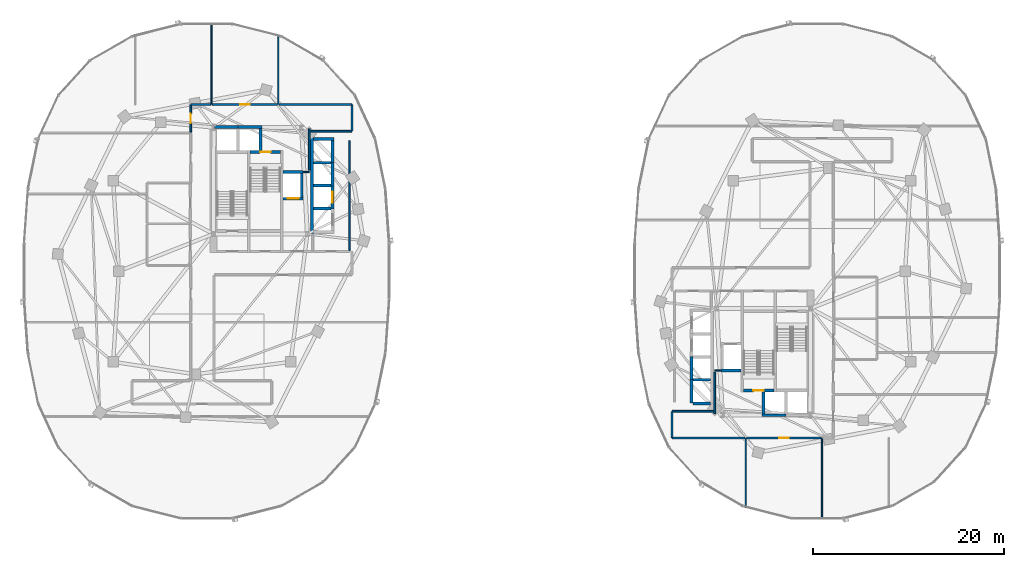
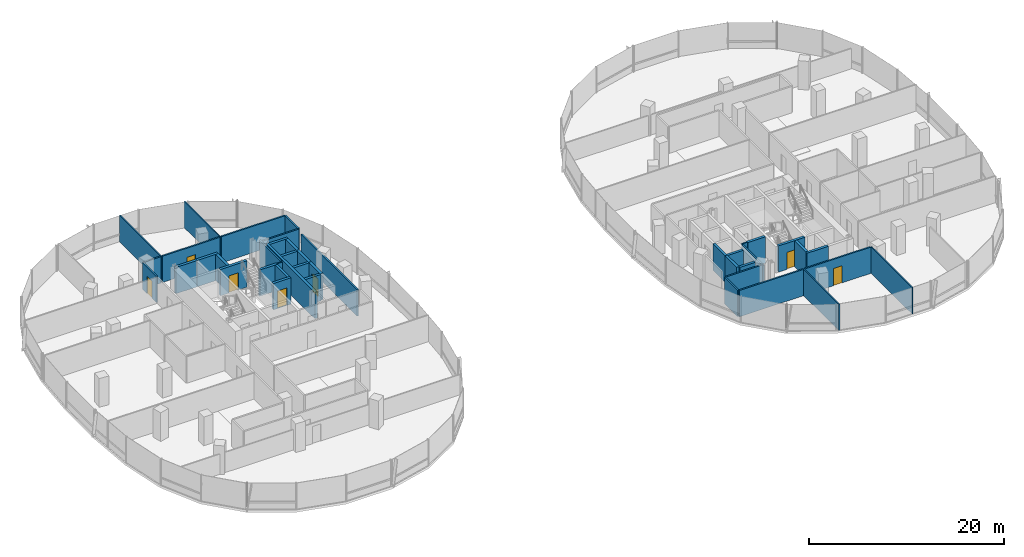
# One storey, part 12 of 21: 42 walls, 7 doors, 7 openings.
"""IFC4 building model written with IfcOpenShell, lengths in metres."""

from ifc_helpers import new_model, si_unit, direction, frame, frame_2d, origin, place, context, subcontext, project, spatial, rectangle, extrude, material, layer, layer_set, type_object, element, fill, save


model = new_model("IFC4")

# Units and contexts
model_context = context("Model", 3, precision=1e-05, world=origin(), true_north=direction((0.0, 1.0)))
body_context = subcontext(model_context, "Body", "Model", "MODEL_VIEW")
ifc_project = project(units=[si_unit("LENGTHUNIT", "METRE"), si_unit("AREAUNIT", "SQUARE_METRE"), si_unit("VOLUMEUNIT", "CUBIC_METRE"), si_unit("PLANEANGLEUNIT", "RADIAN"), si_unit("MASSUNIT", "GRAM", prefix="KILO"), si_unit("THERMODYNAMICTEMPERATUREUNIT", "KELVIN"), si_unit("POWERUNIT", "WATT")], contexts=[model_context])

# Site, building, storey
site_placement = place(None, origin())
site = spatial("IfcSite", under=ifc_project, at=site_placement, CompositionType="ELEMENT")
building_placement = place(site_placement, origin())
building = spatial("IfcBuilding", under=site, at=building_placement, Name="Cundina Bronze Exchange", CompositionType="ELEMENT")
storey_placement = place(building_placement, frame((0.0, 0.0, 114.199951171875)))
storey = spatial("IfcBuildingStorey", under=building, at=storey_placement, Name="L29", CompositionType="ELEMENT", Elevation=114.199951171875)

# Walls
ifc_material_1 = material(Name="Gypsum Fireboard Partition EI120")
ifc_layer_1 = layer(ifc_material_1, 0.179931640625, Name="Gypsum Fireboard Partition EI120")
ifc_layer_set_1 = layer_set([ifc_layer_1], Name="Gypsum Fireboard Partition EI120")
wall_type_1 = type_object("IfcWallType", Name="WL-COR-180", PredefinedType="PARTITIONING", material=ifc_layer_set_1)
wall_1_placement = place(storey_placement, frame((-17.02001953125, 2.169921875, 0.0), z_axis=(0.0, 0.0, 1.0), x_axis=(0.0, 1.0, 0.0)))
element("IfcWall", 1, at=wall_1_placement, inside=storey, type_object=wall_type_1, Name="L29 Interior Partition 001", PredefinedType="PARTITIONING", context=body_context, shape_type="SweptSolid", body=[
    extrude(rectangle(XDim=11.510009765625, YDim=0.179931640625, at=frame_2d((5.7548828125, 0.0))), origin(), (0.0, 0.0, 1.0), 3.300048828125),
])
wall_2_placement = place(storey_placement, frame((-21.25, 10.570068359375, 0.0), z_axis=(0.0, 0.0, 1.0), x_axis=(0.0, 1.0, 0.0)))
element("IfcWall", 2, at=wall_2_placement, inside=storey, type_object=wall_type_1, Name="L29 Interior Partition 004", PredefinedType="PARTITIONING", context=body_context, shape_type="SweptSolid", body=[
    extrude(rectangle(XDim=4.35986328125, YDim=0.179931640625, at=frame_2d((2.179931640625, 0.0))), origin(), (0.0, 0.0, 1.0), 3.300048828125),
])
wall_3_placement = place(storey_placement, frame((-16.821533203125, 17.469970703125, 0.0), z_axis=(0.0, 0.0, 1.0), x_axis=(-1.0, 0.0, 0.0)))
element("IfcWall", 3, at=wall_3_placement, inside=storey, type_object=wall_type_1, Name="L29 Interior Partition 030", PredefinedType="PARTITIONING", context=body_context, shape_type="SweptSolid", body=[
    extrude(rectangle(XDim=7.58837890625, YDim=0.179931640625, at=frame_2d((3.794189453125, 0.0))), origin(), (0.0, 0.0, 1.0), 3.300048828125),
])
wall_4_placement = place(storey_placement, frame((-21.178466796875, 14.679931640625, 0.0), z_axis=(0.0, 0.0, 1.0), x_axis=(1.0, 0.0, 0.0)))
element("IfcWall", 4, at=wall_4_placement, inside=storey, type_object=wall_type_1, Name="L29 Interior Partition 032", PredefinedType="PARTITIONING", context=body_context, shape_type="SweptSolid", body=[
    extrude(rectangle(XDim=4.35693359375, YDim=0.179931640625, at=frame_2d((2.178466796875, 0.0))), origin(), (0.0, 0.0, 1.0), 3.300048828125),
])
wall_5_placement = place(storey_placement, frame((-16.780029296875, 14.721435546875, 0.0), z_axis=(0.0, 0.0, 1.0), x_axis=(0.0, 1.0, 0.0)))
element("IfcWall", 5, at=wall_5_placement, inside=storey, type_object=wall_type_1, Name="L29 Interior Partition 033", PredefinedType="PARTITIONING", context=body_context, shape_type="SweptSolid", body=[
    extrude(rectangle(XDim=2.70703125, YDim=0.179931640625, at=frame_2d((1.353515625, 0.0))), origin(), (0.0, 0.0, 1.0), 3.300048828125),
])

# Wall, opening, door
wall_6_placement = place(storey_placement, frame((-33.669921875, 17.428466796875, 0.0), z_axis=(0.0, 0.0, 1.0), x_axis=(0.0, -1.0, 0.0)))
wall_6 = element("IfcWall", 6, at=wall_6_placement, inside=storey, type_object=wall_type_1, Name="L29 Interior Partition 036", PredefinedType="PARTITIONING", context=body_context, shape_type="SweptSolid", body=[
    extrude(rectangle(XDim=2.83837890625, YDim=0.179931640625, at=frame_2d((1.419189453125, 0.0))), origin(), (0.0, 0.0, 1.0), 3.300048828125),
])
opening_1_placement = place(wall_6_placement, frame((0.919189453125, 0.0, 0.0)))
opening_1 = element("IfcOpeningElement", 7, at=opening_1_placement, cuts=wall_6, Name="Opening DO-01", PredefinedType="OPENING", context=body_context, shape_type="SweptSolid", body=[
    extrude(rectangle(XDim=1.0, YDim=2.14990234375, at=frame_2d((0.5, 1.074951171875))), frame((0.0, 0.099853515625, 0.0), z_axis=(0.0, -1.0, 0.0), x_axis=(1.0, 0.0, 0.0)), (0.0, 0.0, 1.0), 0.199951171875),
])
ifc_material_2 = material(Name="Solid Andean Oak Timber Grade A", Category="wood")
door_type_1 = type_object("IfcDoorType", Name="DR-OFF-1000", OperationType="NOTDEFINED", PredefinedType="DOOR", material=ifc_material_2)
door_1_placement = place(opening_1_placement, origin())
door_1 = element("IfcDoor", 8, at=door_1_placement, inside=storey, type_object=door_type_1, Name="L29 Interior Door 036", OperationType="SINGLE_SWING_RIGHT", OverallHeight=2.14990234375, OverallWidth=1.0, PredefinedType="DOOR", context=body_context, shape_type="SweptSolid", body=[
    extrude(rectangle(XDim=1.0, YDim=2.14990234375, at=frame_2d((0.5, 1.074951171875))), frame((0.0, 0.02490234375, 0.0), z_axis=(0.0, -1.0, 0.0), x_axis=(1.0, 0.0, 0.0)), (0.0, 0.0, 1.0), 0.050048828125),
])
fill(opening_1, door_1)

# Wall
wall_7_placement = place(storey_placement, frame((-31.590087890625, 17.469970703125, 0.0), z_axis=(0.0, 0.0, 1.0), x_axis=(-1.0, 0.0, 0.0)))
element("IfcWall", 9, at=wall_7_placement, inside=storey, type_object=wall_type_1, Name="L29 Interior Partition 037", PredefinedType="PARTITIONING", context=body_context, shape_type="SweptSolid", body=[
    extrude(rectangle(XDim=2.038330078125, YDim=0.179931640625, at=frame_2d((1.01904296875, 0.0))), origin(), (0.0, 0.0, 1.0), 3.300048828125),
])

# Wall, opening, door
wall_8_placement = place(storey_placement, frame((-24.590087890625, 17.469970703125, 0.0), z_axis=(0.0, 0.0, 1.0), x_axis=(-1.0, 0.0, 0.0)))
wall_8 = element("IfcWall", 10, at=wall_8_placement, inside=storey, type_object=wall_type_1, Name="L29 Interior Partition 038", PredefinedType="PARTITIONING", context=body_context, shape_type="SweptSolid", body=[
    extrude(rectangle(XDim=6.81982421875, YDim=0.179931640625, at=frame_2d((3.409912109375, 0.0))), origin(), (0.0, 0.0, 1.0), 3.300048828125),
])
opening_2_placement = place(wall_8_placement, frame((2.909912109375, 0.0, 0.0)))
opening_2 = element("IfcOpeningElement", 11, at=opening_2_placement, cuts=wall_8, Name="Opening DO-01", PredefinedType="OPENING", context=body_context, shape_type="SweptSolid", body=[
    extrude(rectangle(XDim=1.0, YDim=2.14990234375, at=frame_2d((0.5, 1.074951171875))), frame((0.0, 0.099853515625, 0.0), z_axis=(0.0, -1.0, 0.0), x_axis=(1.0, 0.0, 0.0)), (0.0, 0.0, 1.0), 0.199951171875),
])
door_2_placement = place(opening_2_placement, origin())
door_2 = element("IfcDoor", 12, at=door_2_placement, inside=storey, type_object=door_type_1, Name="L29 Interior Door 038", OperationType="SINGLE_SWING_RIGHT", OverallHeight=2.14990234375, OverallWidth=1.0, PredefinedType="DOOR", context=body_context, shape_type="SweptSolid", body=[
    extrude(rectangle(XDim=1.0, YDim=2.14990234375, at=frame_2d((0.5, 1.074951171875))), frame((0.0, 0.02490234375, 0.0), z_axis=(0.0, -1.0, 0.0), x_axis=(1.0, 0.0, 0.0)), (0.0, 0.0, 1.0), 0.050048828125),
])
fill(opening_2, door_2)

# Wall
wall_9_placement = place(storey_placement, frame((21.25, -14.929931640625, 0.0), z_axis=(0.0, 0.0, 1.0), x_axis=(0.0, 1.0, 0.0)))
element("IfcWall", 13, at=wall_9_placement, inside=storey, type_object=wall_type_1, Name="L29 Interior Partition 043", PredefinedType="PARTITIONING", context=body_context, shape_type="SweptSolid", body=[
    extrude(rectangle(XDim=4.35986328125, YDim=0.179931640625, at=frame_2d((2.179931640625, 0.0))), origin(), (0.0, 0.0, 1.0), 3.300048828125),
])

# Wall, opening, door
wall_10_placement = place(storey_placement, frame((24.590087890625, -17.469970703125, 0.0), z_axis=(0.0, 0.0, 1.0), x_axis=(1.0, 0.0, 0.0)))
wall_10 = element("IfcWall", 14, at=wall_10_placement, inside=storey, type_object=wall_type_1, Name="L29 Interior Partition 060", PredefinedType="PARTITIONING", context=body_context, shape_type="SweptSolid", body=[
    extrude(rectangle(XDim=7.81982421875, YDim=0.179931640625, at=frame_2d((3.909912109375, 0.0))), origin(), (0.0, 0.0, 1.0), 3.300048828125),
])
opening_3_placement = place(wall_10_placement, frame((3.409912109375, 0.0, 0.0)))
opening_3 = element("IfcOpeningElement", 15, at=opening_3_placement, cuts=wall_10, Name="Opening DO-01", PredefinedType="OPENING", context=body_context, shape_type="SweptSolid", body=[
    extrude(rectangle(XDim=1.0, YDim=2.14990234375, at=frame_2d((0.5, 1.074951171875))), frame((0.0, 0.099853515625, 0.0), z_axis=(0.0, -1.0, 0.0), x_axis=(1.0, 0.0, 0.0)), (0.0, 0.0, 1.0), 0.199951171875),
])
door_3_placement = place(opening_3_placement, origin())
door_3 = element("IfcDoor", 16, at=door_3_placement, inside=storey, type_object=door_type_1, Name="L29 Interior Door 060", OperationType="SINGLE_SWING_LEFT", OverallHeight=2.14990234375, OverallWidth=1.0, PredefinedType="DOOR", context=body_context, shape_type="SweptSolid", body=[
    extrude(rectangle(XDim=1.0, YDim=2.14990234375, at=frame_2d((0.5, 1.074951171875))), frame((0.0, 0.02490234375, 0.0), z_axis=(0.0, -1.0, 0.0), x_axis=(1.0, 0.0, 0.0)), (0.0, 0.0, 1.0), 0.050048828125),
])
fill(opening_3, door_3)

# Walls
wall_11_placement = place(storey_placement, frame((16.821533203125, -17.469970703125, 0.0), z_axis=(0.0, 0.0, 1.0), x_axis=(1.0, 0.0, 0.0)))
element("IfcWall", 17, at=wall_11_placement, inside=storey, type_object=wall_type_1, Name="L29 Interior Partition 065", PredefinedType="PARTITIONING", context=body_context, shape_type="SweptSolid", body=[
    extrude(rectangle(XDim=7.58837890625, YDim=0.179931640625, at=frame_2d((3.794189453125, 0.0))), origin(), (0.0, 0.0, 1.0), 3.300048828125),
])
wall_12_placement = place(storey_placement, frame((21.178466796875, -14.679931640625, 0.0), z_axis=(0.0, 0.0, 1.0), x_axis=(-1.0, 0.0, 0.0)))
element("IfcWall", 18, at=wall_12_placement, inside=storey, type_object=wall_type_1, Name="L29 Interior Partition 067", PredefinedType="PARTITIONING", context=body_context, shape_type="SweptSolid", body=[
    extrude(rectangle(XDim=4.35693359375, YDim=0.179931640625, at=frame_2d((2.178466796875, 0.0))), origin(), (0.0, 0.0, 1.0), 3.300048828125),
])
wall_13_placement = place(storey_placement, frame((16.780029296875, -14.721435546875, 0.0), z_axis=(0.0, 0.0, 1.0), x_axis=(0.0, -1.0, 0.0)))
element("IfcWall", 19, at=wall_13_placement, inside=storey, type_object=wall_type_1, Name="L29 Interior Partition 068", PredefinedType="PARTITIONING", context=body_context, shape_type="SweptSolid", body=[
    extrude(rectangle(XDim=2.70703125, YDim=0.179931640625, at=frame_2d((1.353515625, 0.0))), origin(), (0.0, 0.0, 1.0), 3.300048828125),
])
ifc_material_3 = material(Name="Gypsum Acoustic Partition EI60")
ifc_layer_2 = layer(ifc_material_3, 0.125, Name="Gypsum Acoustic Partition EI60")
ifc_layer_set_2 = layer_set([ifc_layer_2], Name="Gypsum Acoustic Partition EI60")
wall_type_2 = type_object("IfcWallType", Name="WL-OFF-125", PredefinedType="PARTITIONING", material=ifc_layer_set_2)
wall_14_placement = place(storey_placement, frame((-31.5, 17.5, 0.0), z_axis=(0.0, 0.0, 1.0), x_axis=(0.0, 1.0, 0.0)))
element("IfcWall", 20, at=wall_14_placement, inside=storey, type_object=wall_type_2, Name="L29 Interior Partition 019", PredefinedType="PARTITIONING", context=body_context, shape_type="SweptSolid", body=[
    extrude(rectangle(XDim=8.485107421875, YDim=0.125, at=frame_2d((4.24267578125, 0.0))), origin(), (0.0, 0.0, 1.0), 3.300048828125),
])
for number, where, z_axis, x_axis, name in (
    (21, (-24.5, 17.5, 0.0), (0.0, 0.0, 1.0), (0.0, 1.0, 0.0), "L29 Interior Partition 020"),
    (22, (24.5, -24.772216796875, 0.0), (0.0, 0.0, 1.0), (0.0, 1.0, 0.0), "L29 Interior Partition 057"),
):
    element("IfcWall", number, at=place(storey_placement, frame(where, z_axis=z_axis, x_axis=x_axis)), inside=storey, type_object=wall_type_2, Name=name, PredefinedType="PARTITIONING", context=body_context, shape_type="SweptSolid", body=[
        extrude(rectangle(XDim=7.272216796875, YDim=0.125, at=frame_2d((3.63623046875, 0.0))), origin(), (0.0, 0.0, 1.0), 3.300048828125),
    ])
wall_15_placement = place(storey_placement, frame((32.5, -25.985107421875, 0.0), z_axis=(0.0, 0.0, 1.0), x_axis=(0.0, 1.0, 0.0)))
element("IfcWall", 23, at=wall_15_placement, inside=storey, type_object=wall_type_2, Name="L29 Interior Partition 058", PredefinedType="PARTITIONING", context=body_context, shape_type="SweptSolid", body=[
    extrude(rectangle(XDim=8.485107421875, YDim=0.125, at=frame_2d((4.24267578125, 0.0))), origin(), (0.0, 0.0, 1.0), 3.300048828125),
])

# Wall, opening, door
ifc_material_4 = material(Name="Concrete C50/60", Category="concrete")
ifc_layer_3 = layer(ifc_material_4, 0.300048828125, Name="Concrete C50/60", Category="concrete")
ifc_layer_set_3 = layer_set([ifc_layer_3], Name="Concrete C50/60")
wall_type_3 = type_object("IfcWallType", Name="WL-SHFT-300", PredefinedType="SHEAR", material=ifc_layer_set_3)
wall_16_placement = place(storey_placement, frame((-27.43994140625, 12.5, 0.0), z_axis=(0.0, 0.0, 1.0), x_axis=(1.0, 0.0, 0.0)))
wall_16 = element("IfcWall", 24, at=wall_16_placement, inside=storey, type_object=wall_type_3, Name="L29 Stair W2 Landing Wall", PredefinedType="SHEAR", context=body_context, shape_type="SweptSolid", body=[
    extrude(rectangle(XDim=3.159912109375, YDim=0.300048828125, at=frame_2d((1.580078125, 0.0))), origin(), (0.0, 0.0, 1.0), 3.300048828125),
])
opening_4_placement = place(wall_16_placement, frame((1.030029296875, 0.0, 0.0)))
opening_4 = element("IfcOpeningElement", 25, at=opening_4_placement, cuts=wall_16, Name="Opening DS-01", PredefinedType="OPENING", context=body_context, shape_type="SweptSolid", body=[
    extrude(rectangle(XDim=1.10009765625, YDim=2.14990234375, at=frame_2d((0.550048828125, 1.074951171875))), frame((0.0, 0.159912109375, 0.0), z_axis=(0.0, -1.0, 0.0), x_axis=(1.0, 0.0, 0.0)), (0.0, 0.0, 1.0), 0.320068359375),
])
ifc_material_5 = material(Name="Steel ASTM A36 Painted", Category="steel")
door_type_2 = type_object("IfcDoorType", Name="DR-STR-1100", OperationType="NOTDEFINED", PredefinedType="DOOR", material=ifc_material_5)
door_4_placement = place(opening_4_placement, origin())
door_4 = element("IfcDoor", 26, at=door_4_placement, inside=storey, type_object=door_type_2, Name="L29 Smokeproof Stair W2 Door", OperationType="SINGLE_SWING_LEFT", OverallHeight=2.14990234375, OverallWidth=1.10009765625, PredefinedType="DOOR", context=body_context, shape_type="SweptSolid", body=[
    extrude(rectangle(XDim=1.10009765625, YDim=2.14990234375, at=frame_2d((0.550048828125, 1.074951171875))), frame((0.0, 0.02490234375, 0.0), z_axis=(0.0, -1.0, 0.0), x_axis=(1.0, 0.0, 0.0)), (0.0, 0.0, 1.0), 0.050048828125),
])
fill(opening_4, door_4)

wall_17_placement = place(storey_placement, frame((-23.97998046875, 7.60009765625, 0.0), z_axis=(0.0, 0.0, 1.0), x_axis=(1.0, 0.0, 0.0)))
wall_17 = element("IfcWall", 27, at=wall_17_placement, inside=storey, type_object=wall_type_3, Name="L29 FFL-W Hoistway Front Wall", PredefinedType="SHEAR", context=body_context, shape_type="SweptSolid", body=[
    extrude(rectangle(XDim=2.10009765625, YDim=0.300048828125, at=frame_2d((1.050048828125, 0.0))), origin(), (0.0, 0.0, 1.0), 3.300048828125),
])
opening_5_placement = place(wall_17_placement, frame((0.47509765625, 0.0, 0.0)))
opening_5 = element("IfcOpeningElement", 28, at=opening_5_placement, cuts=wall_17, Name="Opening LD-01", PredefinedType="OPENING", context=body_context, shape_type="SweptSolid", body=[
    extrude(rectangle(XDim=1.14990234375, YDim=2.199951171875, at=frame_2d((0.574951171875, 1.10009765625))), frame((0.0, 0.159912109375, 0.0), z_axis=(0.0, -1.0, 0.0), x_axis=(1.0, 0.0, 0.0)), (0.0, 0.0, 1.0), 0.320068359375),
])
door_type_3 = type_object("IfcDoorType", Name="DR-LND-1150", OperationType="NOTDEFINED", PredefinedType="TRAPDOOR", material=ifc_material_5)
door_5_placement = place(opening_5_placement, origin())
door_5 = element("IfcDoor", 29, at=door_5_placement, inside=storey, type_object=door_type_3, Name="L29 FFL-W Sliding Landing Door", OperationType="SLIDING_TO_LEFT", OverallHeight=2.199951171875, OverallWidth=1.14990234375, PredefinedType="TRAPDOOR", context=body_context, shape_type="SweptSolid", body=[
    extrude(rectangle(XDim=1.14990234375, YDim=2.199951171875, at=frame_2d((0.574951171875, 1.10009765625))), frame((0.0, 0.02490234375, 0.0), z_axis=(0.0, -1.0, 0.0), x_axis=(1.0, 0.0, 0.0)), (0.0, 0.0, 1.0), 0.050048828125),
])
fill(opening_5, door_5)

# Walls
wall_18_placement = place(storey_placement, frame((-23.97998046875, 10.39990234375, 0.0), z_axis=(0.0, 0.0, 1.0), x_axis=(1.0, 0.0, 0.0)))
element("IfcWall", 30, at=wall_18_placement, inside=storey, type_object=wall_type_3, Name="L29 FFL-W Hoistway Back Wall", PredefinedType="SHEAR", context=body_context, shape_type="SweptSolid", body=[
    extrude(rectangle(XDim=2.10009765625, YDim=0.300048828125, at=frame_2d((1.050048828125, 0.0))), origin(), (0.0, 0.0, 1.0), 3.300048828125),
])
for number, where, z_axis, x_axis, name in (
    (31, (-22.030029296875, 7.75, 0.0), (0.0, 0.0, 1.0), (0.0, 1.0, 0.0), "L29 FFL-W Hoistway Side Wall"),
    (32, (-31.199951171875, 15.10009765625, 0.0), (0.0, 0.0, 1.0), (1.0, 0.0, 0.0), "L29 PH-W1 Hoistway Front Wall"),
    (33, (-28.699951171875, 15.10009765625, 0.0), (0.0, 0.0, 1.0), (1.0, 0.0, 0.0), "L29 PH-W2 Hoistway Front Wall"),
):
    element("IfcWall", number, at=place(storey_placement, frame(where, z_axis=z_axis, x_axis=x_axis)), inside=storey, type_object=wall_type_3, Name=name, PredefinedType="SHEAR", context=body_context, shape_type="SweptSolid", body=[
        extrude(rectangle(XDim=2.5, YDim=0.300048828125, at=frame_2d((1.25, 0.0))), origin(), (0.0, 0.0, 1.0), 3.300048828125),
    ])
wall_19_placement = place(storey_placement, frame((-26.35009765625, 12.64990234375, 0.0), z_axis=(0.0, 0.0, 1.0), x_axis=(0.0, 1.0, 0.0)))
element("IfcWall", 34, at=wall_19_placement, inside=storey, type_object=wall_type_3, Name="L29 PH-W2 Hoistway Divider Wall", PredefinedType="SHEAR", context=body_context, shape_type="SweptSolid", body=[
    extrude(rectangle(XDim=2.300048828125, YDim=0.300048828125, at=frame_2d((1.14990234375, 0.0))), origin(), (0.0, 0.0, 1.0), 3.300048828125),
])
wall_20_placement = place(storey_placement, frame((-20.949951171875, 3.949951171875, 0.0), z_axis=(0.0, 0.0, 1.0), x_axis=(0.0, 1.0, 0.0)))
element("IfcWall", 35, at=wall_20_placement, inside=storey, type_object=wall_type_3, Name="L29 W Passenger Bank Hoistway Back Wall", PredefinedType="SHEAR", context=body_context, shape_type="SweptSolid", body=[
    extrude(rectangle(XDim=10.050048828125, YDim=0.300048828125, at=frame_2d((5.02490234375, 0.0))), origin(), (0.0, 0.0, 1.0), 3.300048828125),
])
wall_21_placement = place(storey_placement, frame((-20.800048828125, 13.85009765625, 0.0), z_axis=(0.0, 0.0, 1.0), x_axis=(1.0, 0.0, 0.0)))
element("IfcWall", 36, at=wall_21_placement, inside=storey, type_object=wall_type_3, Name="L29 W Passenger Bank North Cap Wall", PredefinedType="SHEAR", context=body_context, shape_type="SweptSolid", body=[
    extrude(rectangle(XDim=2.150146484375, YDim=0.300048828125, at=frame_2d((1.0751953125, 0.0))), origin(), (0.0, 0.0, 1.0), 3.300048828125),
])
for number, where, z_axis, x_axis, name in (
    (37, (-20.800048828125, 6.574951171875, 0.0), (0.0, 0.0, 1.0), (1.0, 0.0, 0.0), "L29 W Passenger Hoistway Divider 1"),
    (38, (-20.800048828125, 8.97509765625, 0.0), (0.0, 0.0, 1.0), (1.0, 0.0, 0.0), "L29 W Passenger Hoistway Divider 2"),
    (39, (-20.800048828125, 11.375, 0.0), (0.0, 0.0, 1.0), (1.0, 0.0, 0.0), "L29 W Passenger Hoistway Divider 3"),
):
    element("IfcWall", number, at=place(storey_placement, frame(where, z_axis=z_axis, x_axis=x_axis)), inside=storey, type_object=wall_type_3, Name=name, PredefinedType="SHEAR", context=body_context, shape_type="SweptSolid", body=[
        extrude(rectangle(XDim=1.85009765625, YDim=0.300048828125, at=frame_2d((0.925048828125, 0.0))), origin(), (0.0, 0.0, 1.0), 3.300048828125),
    ])

# Wall, opening, door
wall_22_placement = place(storey_placement, frame((-18.800048828125, 6.530029296875, 0.0), z_axis=(0.0, 0.0, 1.0), x_axis=(0.0, 1.0, 0.0)))
wall_22 = element("IfcWall", 40, at=wall_22_placement, inside=storey, type_object=wall_type_3, Name="L29 PL-W1 Hoistway Front Wall", PredefinedType="SHEAR", context=body_context, shape_type="SweptSolid", body=[
    extrude(rectangle(XDim=2.489990234375, YDim=0.300048828125, at=frame_2d((1.2451171875, 0.0))), origin(), (0.0, 0.0, 1.0), 3.300048828125),
])
opening_6_placement = place(wall_22_placement, frame((0.669921875, 0.0, 0.0)))
opening_6 = element("IfcOpeningElement", 41, at=opening_6_placement, cuts=wall_22, Name="Opening LD-01", PredefinedType="OPENING", context=body_context, shape_type="SweptSolid", body=[
    extrude(rectangle(XDim=1.14990234375, YDim=2.199951171875, at=frame_2d((0.574951171875, 1.10009765625))), frame((0.0, 0.159912109375, 0.0), z_axis=(0.0, -1.0, 0.0), x_axis=(1.0, 0.0, 0.0)), (0.0, 0.0, 1.0), 0.320068359375),
])
door_6_placement = place(opening_6_placement, origin())
door_6 = element("IfcDoor", 42, at=door_6_placement, inside=storey, type_object=door_type_3, Name="L29 PL-W1 Sliding Landing Door", OperationType="SLIDING_TO_LEFT", OverallHeight=2.199951171875, OverallWidth=1.14990234375, PredefinedType="TRAPDOOR", context=body_context, shape_type="SweptSolid", body=[
    extrude(rectangle(XDim=1.14990234375, YDim=2.199951171875, at=frame_2d((0.574951171875, 1.10009765625))), frame((0.0, 0.02490234375, 0.0), z_axis=(0.0, -1.0, 0.0), x_axis=(1.0, 0.0, 0.0)), (0.0, 0.0, 1.0), 0.050048828125),
])
fill(opening_6, door_6)

# Walls
for number, where, z_axis, x_axis, name in (
    (43, (-18.800048828125, 8.929931640625, 0.0), (0.0, 0.0, 1.0), (0.0, 1.0, 0.0), "L29 PM-W2 Hoistway Front Wall"),
    (44, (-18.800048828125, 11.330078125, 0.0), (0.0, 0.0, 1.0), (0.0, 1.0, 0.0), "L29 PM-W1 Hoistway Front Wall"),
):
    element("IfcWall", number, at=place(storey_placement, frame(where, z_axis=z_axis, x_axis=x_axis)), inside=storey, type_object=wall_type_3, Name=name, PredefinedType="SHEAR", context=body_context, shape_type="SweptSolid", body=[
        extrude(rectangle(XDim=2.489990234375, YDim=0.300048828125, at=frame_2d((1.2451171875, 0.0))), origin(), (0.0, 0.0, 1.0), 3.300048828125),
    ])

# Wall, opening, door
wall_23_placement = place(storey_placement, frame((24.280029296875, -12.5, 0.0), z_axis=(0.0, 0.0, 1.0), x_axis=(1.0, 0.0, 0.0)))
wall_23 = element("IfcWall", 45, at=wall_23_placement, inside=storey, type_object=wall_type_3, Name="L29 Stair E2 Landing Wall", PredefinedType="SHEAR", context=body_context, shape_type="SweptSolid", body=[
    extrude(rectangle(XDim=3.159912109375, YDim=0.300048828125, at=frame_2d((1.580078125, 0.0))), origin(), (0.0, 0.0, 1.0), 3.300048828125),
])
opening_7_placement = place(wall_23_placement, frame((1.030029296875, 0.0, 0.0)))
opening_7 = element("IfcOpeningElement", 46, at=opening_7_placement, cuts=wall_23, Name="Opening DS-01", PredefinedType="OPENING", context=body_context, shape_type="SweptSolid", body=[
    extrude(rectangle(XDim=1.10009765625, YDim=2.14990234375, at=frame_2d((0.550048828125, 1.074951171875))), frame((0.0, 0.159912109375, 0.0), z_axis=(0.0, -1.0, 0.0), x_axis=(1.0, 0.0, 0.0)), (0.0, 0.0, 1.0), 0.320068359375),
])
door_7_placement = place(opening_7_placement, origin())
door_7 = element("IfcDoor", 47, at=door_7_placement, inside=storey, type_object=door_type_2, Name="L29 Smokeproof Stair E2 Door", OperationType="SINGLE_SWING_RIGHT", OverallHeight=2.14990234375, OverallWidth=1.10009765625, PredefinedType="DOOR", context=body_context, shape_type="SweptSolid", body=[
    extrude(rectangle(XDim=1.10009765625, YDim=2.14990234375, at=frame_2d((0.550048828125, 1.074951171875))), frame((0.0, 0.02490234375, 0.0), z_axis=(0.0, -1.0, 0.0), x_axis=(1.0, 0.0, 0.0)), (0.0, 0.0, 1.0), 0.050048828125),
])
fill(opening_7, door_7)

# Walls
wall_24_placement = place(storey_placement, frame((21.8798828125, -10.39990234375, 0.0), z_axis=(0.0, 0.0, 1.0), x_axis=(1.0, 0.0, 0.0)))
element("IfcWall", 48, at=wall_24_placement, inside=storey, type_object=wall_type_3, Name="L29 FFL-E Hoistway Back Wall", PredefinedType="SHEAR", context=body_context, shape_type="SweptSolid", body=[
    extrude(rectangle(XDim=2.10009765625, YDim=0.300048828125, at=frame_2d((1.050048828125, 0.0))), origin(), (0.0, 0.0, 1.0), 3.300048828125),
])
wall_25_placement = place(storey_placement, frame((26.199951171875, -15.10009765625, 0.0), z_axis=(0.0, 0.0, 1.0), x_axis=(1.0, 0.0, 0.0)))
element("IfcWall", 49, at=wall_25_placement, inside=storey, type_object=wall_type_3, Name="L29 PH-E2 Hoistway Front Wall", PredefinedType="SHEAR", context=body_context, shape_type="SweptSolid", body=[
    extrude(rectangle(XDim=2.5, YDim=0.300048828125, at=frame_2d((1.25, 0.0))), origin(), (0.0, 0.0, 1.0), 3.300048828125),
])
wall_26_placement = place(storey_placement, frame((26.35009765625, -14.949951171875, 0.0), z_axis=(0.0, 0.0, 1.0), x_axis=(0.0, 1.0, 0.0)))
element("IfcWall", 50, at=wall_26_placement, inside=storey, type_object=wall_type_3, Name="L29 PH-E2 Hoistway Divider Wall", PredefinedType="SHEAR", context=body_context, shape_type="SweptSolid", body=[
    extrude(rectangle(XDim=2.300048828125, YDim=0.300048828125, at=frame_2d((1.14990234375, 0.0))), origin(), (0.0, 0.0, 1.0), 3.300048828125),
])
for number, where, z_axis, x_axis, name in (
    (51, (18.949951171875, -13.85009765625, 0.0), (0.0, 0.0, 1.0), (1.0, 0.0, 0.0), "L29 E Passenger Bank South Cap Wall"),
    (52, (18.949951171875, -11.375, 0.0), (0.0, 0.0, 1.0), (1.0, 0.0, 0.0), "L29 E Passenger Hoistway Divider 1"),
):
    element("IfcWall", number, at=place(storey_placement, frame(where, z_axis=z_axis, x_axis=x_axis)), inside=storey, type_object=wall_type_3, Name=name, PredefinedType="SHEAR", context=body_context, shape_type="SweptSolid", body=[
        extrude(rectangle(XDim=1.85009765625, YDim=0.300048828125, at=frame_2d((0.925048828125, 0.0))), origin(), (0.0, 0.0, 1.0), 3.300048828125),
    ])
for number, where, z_axis, x_axis, name in (
    (53, (18.800048828125, -13.820068359375, 0.0), (0.0, 0.0, 1.0), (0.0, 1.0, 0.0), "L29 PM-E1 Hoistway Front Wall"),
    (54, (18.800048828125, -11.419921875, 0.0), (0.0, 0.0, 1.0), (0.0, 1.0, 0.0), "L29 PM-E2 Hoistway Front Wall"),
):
    element("IfcWall", number, at=place(storey_placement, frame(where, z_axis=z_axis, x_axis=x_axis)), inside=storey, type_object=wall_type_3, Name=name, PredefinedType="SHEAR", context=body_context, shape_type="SweptSolid", body=[
        extrude(rectangle(XDim=2.489990234375, YDim=0.300048828125, at=frame_2d((1.2451171875, 0.0))), origin(), (0.0, 0.0, 1.0), 3.300048828125),
    ])
ifc_material_6 = material(Name="Moisture-Resistant Masonry Block Grade M15", Category="masonry")
ifc_layer_4 = layer(ifc_material_6, 0.139892578125, Name="Moisture-Resistant Masonry Block Grade M15", Category="masonry")
ifc_layer_set_4 = layer_set([ifc_layer_4], Name="Moisture-Resistant Masonry Block Grade M15")
wall_type_4 = type_object("IfcWallType", Name="WL-WET-140", PredefinedType="PARTITIONING", material=ifc_layer_set_4)
for number, where, z_axis, x_axis, name in (
    (55, (-21.860107421875, 10.39990234375, 0.0), (0.0, 0.0, 1.0), (1.0, 0.0, 0.0), "L29 Interior Partition 003"),
    (56, (21.27001953125, -10.39990234375, 0.0), (0.0, 0.0, 1.0), (1.0, 0.0, 0.0), "L29 Interior Partition 042"),
):
    element("IfcWall", number, at=place(storey_placement, frame(where, z_axis=z_axis, x_axis=x_axis)), inside=storey, type_object=wall_type_4, Name=name, PredefinedType="PARTITIONING", context=body_context, shape_type="SweptSolid", body=[
        extrude(rectangle(XDim=0.590087890625, YDim=0.139892578125, at=frame_2d((0.294921875, 0.0))), origin(), (0.0, 0.0, 1.0), 3.300048828125),
    ])

save(model, "model.ifc")
